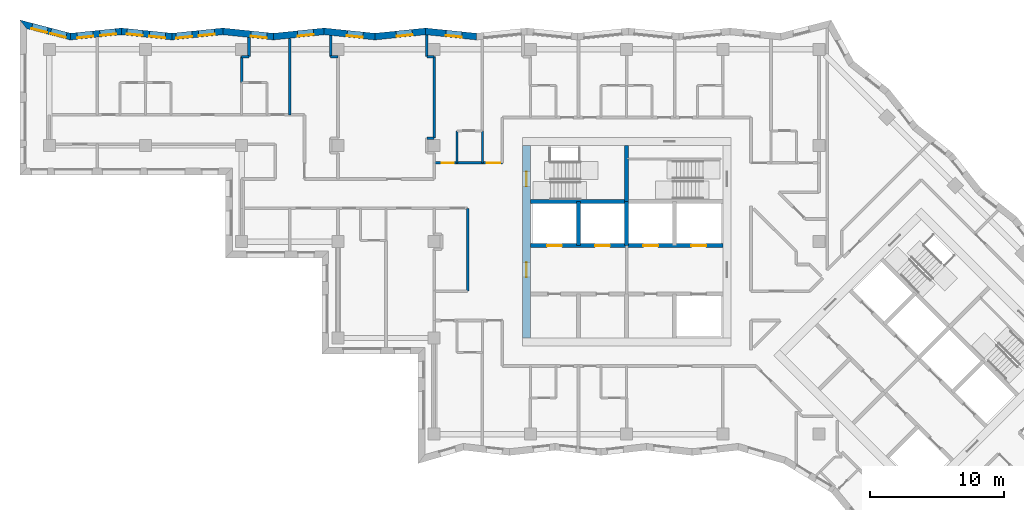
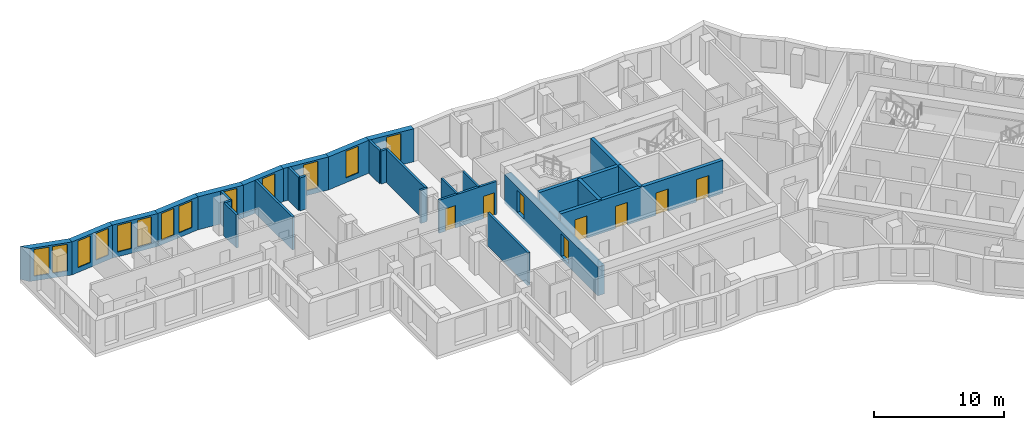
# One storey, part 5 of 12: 29 walls, 13 windows, 8 doors, 21 openings.
"""IFC4 building model written with IfcOpenShell, lengths in metres."""

from ifc_helpers import new_model, si_unit, direction, frame, frame_2d, origin, place, context, subcontext, project, spatial, polyline, rectangle, outline, extrude, material, layer, layer_set, type_object, element, fill, save


model = new_model("IFC4")

# Units and contexts
model_context = context("Model", 3, precision=1e-05, world=origin(), true_north=direction((0.0, 1.0)))
body_context = subcontext(model_context, "Body", "Model", "MODEL_VIEW")
ifc_project = project(units=[si_unit("LENGTHUNIT", "METRE"), si_unit("AREAUNIT", "SQUARE_METRE"), si_unit("VOLUMEUNIT", "CUBIC_METRE"), si_unit("PLANEANGLEUNIT", "RADIAN"), si_unit("MASSUNIT", "GRAM", prefix="KILO")], contexts=[model_context])

# Site, building, storey
site_placement = place(None, origin())
site = spatial("IfcSite", under=ifc_project, at=site_placement, CompositionType="ELEMENT")
building_placement = place(site_placement, origin())
building = spatial("IfcBuilding", under=site, at=building_placement, Name="Windrow Commons", CompositionType="ELEMENT")
storey_placement = place(building_placement, frame((0.0, 0.0, 145.6)))
storey = spatial("IfcBuildingStorey", under=building, at=storey_placement, Name="L39", CompositionType="ELEMENT", Elevation=145.6)

# Wall, opening, window
ifc_material_1 = material(Name="Brick masonry, red clay brick", Category="masonry")
ifc_layer_1 = layer(ifc_material_1, 0.5)
ifc_layer_set_1 = layer_set([ifc_layer_1], Name="Brick facade wall 500")
wall_type_1 = type_object("IfcWallType", Name="Brick facade wall 500", PredefinedType="SOLIDWALL", material=ifc_layer_set_1)
wall_1_placement = place(storey_placement, frame((53.552, 72.9487, 0.0), z_axis=(0.0, 0.0, 1.0), x_axis=(-0.9947306832, 0.1025225234, 0.0)))
wall_1 = element("IfcWall", 1, at=wall_1_placement, inside=storey, type_object=wall_type_1, Name="Brick facade wall L39 26", PredefinedType="SOLIDWALL", context=body_context, shape_type="SweptSolid", body=[
    extrude(outline(polyline([(0.0258, -0.25), (3.8395, -0.25), (3.788, 0.25), (-0.0258, 0.25), (0.0258, -0.25)])), origin(), (0.0, 0.0, 1.0), 3.1),
])
opening_1_placement = place(wall_1_placement, frame((1.0843, 0.0, 0.45)))
opening_1 = element("IfcOpeningElement", 2, at=opening_1_placement, cuts=wall_1, Name="Opening W7E", PredefinedType="OPENING", context=body_context, shape_type="SweptSolid", body=[
    extrude(rectangle(XDim=1.2, YDim=2.5, at=frame_2d((0.6, 1.25))), frame((0.0, 0.26, 0.0), z_axis=(0.0, -1.0, 0.0), x_axis=(1.0, 0.0, 0.0)), (0.0, 0.0, 1.0), 0.52),
])
ifc_material_2 = material(Name="Clear float glass in anodised aluminium frame", Category="aluminium")
window_type = type_object("IfcWindowType", Name="Window W7 notch 1200x2500", PartitioningType="SINGLE_PANEL", PredefinedType="WINDOW", material=ifc_material_2)
window_1_placement = place(opening_1_placement, origin())
window_1 = element("IfcWindow", 3, at=window_1_placement, inside=storey, type_object=window_type, Name="Window L39 26.1", OverallHeight=2.5, OverallWidth=1.2, PartitioningType="SINGLE_PANEL", PredefinedType="WINDOW", context=body_context, shape_type="SweptSolid", body=[
    extrude(rectangle(XDim=1.2, YDim=2.5, at=frame_2d((0.6, 1.25))), frame((0.0, 0.18, 0.0), z_axis=(0.0, -1.0, 0.0), x_axis=(1.0, 0.0, 0.0)), (0.0, 0.0, 1.0), 0.06),
])
fill(opening_1, window_1)

wall_2_placement = place(storey_placement, frame((49.7583, 73.3397, 0.0), z_axis=(0.0, 0.0, 1.0), x_axis=(-0.9947306832, -0.1025225234, 0.0)))
wall_2 = element("IfcWall", 4, at=wall_2_placement, inside=storey, type_object=wall_type_1, Name="Brick facade wall L39 27", PredefinedType="SOLIDWALL", context=body_context, shape_type="SweptSolid", body=[
    extrude(outline(polyline([(-0.0258, -0.25), (3.788, -0.25), (3.8395, 0.25), (0.0258, 0.25), (-0.0258, -0.25)])), origin(), (0.0, 0.0, 1.0), 3.1),
])
opening_2_placement = place(wall_2_placement, frame((0.9999, 0.0, 0.45)))
opening_2 = element("IfcOpeningElement", 5, at=opening_2_placement, cuts=wall_2, Name="Opening W7E", PredefinedType="OPENING", context=body_context, shape_type="SweptSolid", body=[
    extrude(rectangle(XDim=1.2, YDim=2.5, at=frame_2d((0.6, 1.25))), frame((0.0, 0.26, 0.0), z_axis=(0.0, -1.0, 0.0), x_axis=(1.0, 0.0, 0.0)), (0.0, 0.0, 1.0), 0.52),
])
window_2_placement = place(opening_2_placement, origin())
window_2 = element("IfcWindow", 6, at=window_2_placement, inside=storey, type_object=window_type, Name="Window L39 27.1", OverallHeight=2.5, OverallWidth=1.2, PartitioningType="SINGLE_PANEL", PredefinedType="WINDOW", context=body_context, shape_type="SweptSolid", body=[
    extrude(rectangle(XDim=1.2, YDim=2.5, at=frame_2d((0.6, 1.25))), frame((0.0, 0.18, 0.0), z_axis=(0.0, -1.0, 0.0), x_axis=(1.0, 0.0, 0.0)), (0.0, 0.0, 1.0), 0.06),
])
fill(opening_2, window_2)

wall_3_placement = place(storey_placement, frame((45.9646, 72.9487, 0.0), z_axis=(0.0, 0.0, 1.0), x_axis=(-0.9947304076, 0.1025251975, 0.0)))
wall_3 = element("IfcWall", 7, at=wall_3_placement, inside=storey, type_object=wall_type_1, Name="Brick facade wall L39 28", PredefinedType="SOLIDWALL", context=body_context, shape_type="SweptSolid", body=[
    extrude(outline(polyline([(0.0258, -0.25), (3.8395, -0.25), (3.788, 0.25), (-0.0258, 0.25), (0.0258, -0.25)])), origin(), (0.0, 0.0, 1.0), 3.1),
])
opening_3_placement = place(wall_3_placement, frame((0.8896, 0.0, 0.45)))
opening_3 = element("IfcOpeningElement", 8, at=opening_3_placement, cuts=wall_3, Name="Opening W7E", PredefinedType="OPENING", context=body_context, shape_type="SweptSolid", body=[
    extrude(rectangle(XDim=1.2, YDim=2.5, at=frame_2d((0.6, 1.25))), frame((0.0, 0.26, 0.0), z_axis=(0.0, -1.0, 0.0), x_axis=(1.0, 0.0, 0.0)), (0.0, 0.0, 1.0), 0.52),
])
window_3_placement = place(opening_3_placement, origin())
window_3 = element("IfcWindow", 9, at=window_3_placement, inside=storey, type_object=window_type, Name="Window L39 28.1", OverallHeight=2.5, OverallWidth=1.2, PartitioningType="SINGLE_PANEL", PredefinedType="WINDOW", context=body_context, shape_type="SweptSolid", body=[
    extrude(rectangle(XDim=1.2, YDim=2.5, at=frame_2d((0.6, 1.25))), frame((0.0, 0.18, 0.0), z_axis=(0.0, -1.0, 0.0), x_axis=(1.0, 0.0, 0.0)), (0.0, 0.0, 1.0), 0.06),
])
fill(opening_3, window_3)

wall_4_placement = place(storey_placement, frame((42.171, 73.3397, 0.0), z_axis=(0.0, 0.0, 1.0), x_axis=(-0.9947306832, -0.1025225234, 0.0)))
wall_4 = element("IfcWall", 10, at=wall_4_placement, inside=storey, type_object=wall_type_1, Name="Brick facade wall L39 29", PredefinedType="SOLIDWALL", context=body_context, shape_type="SweptSolid", body=[
    extrude(outline(polyline([(-0.0258, -0.25), (3.788, -0.25), (3.8395, 0.25), (0.0258, 0.25), (-0.0258, -0.25)])), origin(), (0.0, 0.0, 1.0), 3.1),
])
opening_4_placement = place(wall_4_placement, frame((0.8052, 0.0, 0.45)))
opening_4 = element("IfcOpeningElement", 11, at=opening_4_placement, cuts=wall_4, Name="Opening W7E", PredefinedType="OPENING", context=body_context, shape_type="SweptSolid", body=[
    extrude(rectangle(XDim=1.2, YDim=2.5, at=frame_2d((0.6, 1.25))), frame((0.0, 0.26, 0.0), z_axis=(0.0, -1.0, 0.0), x_axis=(1.0, 0.0, 0.0)), (0.0, 0.0, 1.0), 0.52),
])
window_4_placement = place(opening_4_placement, origin())
window_4 = element("IfcWindow", 12, at=window_4_placement, inside=storey, type_object=window_type, Name="Window L39 29.1", OverallHeight=2.5, OverallWidth=1.2, PartitioningType="SINGLE_PANEL", PredefinedType="WINDOW", context=body_context, shape_type="SweptSolid", body=[
    extrude(rectangle(XDim=1.2, YDim=2.5, at=frame_2d((0.6, 1.25))), frame((0.0, 0.18, 0.0), z_axis=(0.0, -1.0, 0.0), x_axis=(1.0, 0.0, 0.0)), (0.0, 0.0, 1.0), 0.06),
])
fill(opening_4, window_4)

wall_5_placement = place(storey_placement, frame((38.3773, 72.9487, 0.0), z_axis=(0.0, 0.0, 1.0), x_axis=(-0.9947306832, 0.1025225234, 0.0)))
wall_5 = element("IfcWall", 13, at=wall_5_placement, inside=storey, type_object=wall_type_1, Name="Brick facade wall L39 30", PredefinedType="SOLIDWALL", context=body_context, shape_type="SweptSolid", body=[
    extrude(outline(polyline([(0.0258, -0.25), (3.8395, -0.25), (3.788, 0.25), (-0.0258, 0.25), (0.0258, -0.25)])), origin(), (0.0, 0.0, 1.0), 3.1),
])
opening_5_placement = place(wall_5_placement, frame((0.495, 0.0, 0.45)))
opening_5 = element("IfcOpeningElement", 14, at=opening_5_placement, cuts=wall_5, Name="Opening W7E", PredefinedType="OPENING", context=body_context, shape_type="SweptSolid", body=[
    extrude(rectangle(XDim=1.2, YDim=2.5, at=frame_2d((0.6, 1.25))), frame((0.0, 0.26, 0.0), z_axis=(0.0, -1.0, 0.0), x_axis=(1.0, 0.0, 0.0)), (0.0, 0.0, 1.0), 0.52),
])
window_5_placement = place(opening_5_placement, origin())
window_5 = element("IfcWindow", 15, at=window_5_placement, inside=storey, type_object=window_type, Name="Window L39 30.1", OverallHeight=2.5, OverallWidth=1.2, PartitioningType="SINGLE_PANEL", PredefinedType="WINDOW", context=body_context, shape_type="SweptSolid", body=[
    extrude(rectangle(XDim=1.2, YDim=2.5, at=frame_2d((0.6, 1.25))), frame((0.0, 0.18, 0.0), z_axis=(0.0, -1.0, 0.0), x_axis=(1.0, 0.0, 0.0)), (0.0, 0.0, 1.0), 0.06),
])
fill(opening_5, window_5)

# Wall, openings, windows
wall_6_placement = place(storey_placement, frame((34.5836, 73.3397, 0.0), z_axis=(0.0, 0.0, 1.0), x_axis=(-0.9947304076, -0.1025251975, 0.0)))
wall_6 = element("IfcWall", 16, at=wall_6_placement, inside=storey, type_object=wall_type_1, Name="Brick facade wall L39 31", PredefinedType="SOLIDWALL", context=body_context, shape_type="SweptSolid", body=[
    extrude(outline(polyline([(-0.0258, -0.25), (3.788, -0.25), (3.8395, 0.25), (0.0258, 0.25), (-0.0258, -0.25)])), origin(), (0.0, 0.0, 1.0), 3.1),
])
opening_6_placement = place(wall_6_placement, frame((0.6105, 0.0, 0.45)))
opening_6 = element("IfcOpeningElement", 17, at=opening_6_placement, cuts=wall_6, Name="Opening W7E", PredefinedType="OPENING", context=body_context, shape_type="SweptSolid", body=[
    extrude(rectangle(XDim=1.2, YDim=2.5, at=frame_2d((0.6, 1.25))), frame((0.0, 0.26, 0.0), z_axis=(0.0, -1.0, 0.0), x_axis=(1.0, 0.0, 0.0)), (0.0, 0.0, 1.0), 0.52),
])
opening_7_placement = place(wall_6_placement, frame((2.3045, 0.0, 0.45)))
opening_7 = element("IfcOpeningElement", 18, at=opening_7_placement, cuts=wall_6, Name="Opening W7E", PredefinedType="OPENING", context=body_context, shape_type="SweptSolid", body=[
    extrude(rectangle(XDim=1.2, YDim=2.5, at=frame_2d((0.6, 1.25))), frame((0.0, 0.26, 0.0), z_axis=(0.0, -1.0, 0.0), x_axis=(1.0, 0.0, 0.0)), (0.0, 0.0, 1.0), 0.52),
])
window_6_placement = place(opening_6_placement, origin())
window_6 = element("IfcWindow", 19, at=window_6_placement, inside=storey, type_object=window_type, Name="Window L39 31.1", OverallHeight=2.5, OverallWidth=1.2, PartitioningType="SINGLE_PANEL", PredefinedType="WINDOW", context=body_context, shape_type="SweptSolid", body=[
    extrude(rectangle(XDim=1.2, YDim=2.5, at=frame_2d((0.6, 1.25))), frame((0.0, 0.18, 0.0), z_axis=(0.0, -1.0, 0.0), x_axis=(1.0, 0.0, 0.0)), (0.0, 0.0, 1.0), 0.06),
])
fill(opening_6, window_6)
window_7_placement = place(opening_7_placement, origin())
window_7 = element("IfcWindow", 20, at=window_7_placement, inside=storey, type_object=window_type, Name="Window L39 31.2", OverallHeight=2.5, OverallWidth=1.2, PartitioningType="SINGLE_PANEL", PredefinedType="WINDOW", context=body_context, shape_type="SweptSolid", body=[
    extrude(rectangle(XDim=1.2, YDim=2.5, at=frame_2d((0.6, 1.25))), frame((0.0, 0.18, 0.0), z_axis=(0.0, -1.0, 0.0), x_axis=(1.0, 0.0, 0.0)), (0.0, 0.0, 1.0), 0.06),
])
fill(opening_7, window_7)

wall_7_placement = place(storey_placement, frame((30.79, 72.9487, 0.0), z_axis=(0.0, 0.0, 1.0), x_axis=(-0.9947306832, 0.1025225234, 0.0)))
wall_7 = element("IfcWall", 21, at=wall_7_placement, inside=storey, type_object=wall_type_1, Name="Brick facade wall L39 32", PredefinedType="SOLIDWALL", context=body_context, shape_type="SweptSolid", body=[
    extrude(outline(polyline([(0.0258, -0.25), (3.8395, -0.25), (3.788, 0.25), (-0.0258, 0.25), (0.0258, -0.25)])), origin(), (0.0, 0.0, 1.0), 3.1),
])
opening_8_placement = place(wall_7_placement, frame((0.5003, 0.0, 0.45)))
opening_8 = element("IfcOpeningElement", 22, at=opening_8_placement, cuts=wall_7, Name="Opening W7E", PredefinedType="OPENING", context=body_context, shape_type="SweptSolid", body=[
    extrude(rectangle(XDim=1.2, YDim=2.5, at=frame_2d((0.6, 1.25))), frame((0.0, 0.26, 0.0), z_axis=(0.0, -1.0, 0.0), x_axis=(1.0, 0.0, 0.0)), (0.0, 0.0, 1.0), 0.52),
])
opening_9_placement = place(wall_7_placement, frame((2.1943, 0.0, 0.45)))
opening_9 = element("IfcOpeningElement", 23, at=opening_9_placement, cuts=wall_7, Name="Opening W7E", PredefinedType="OPENING", context=body_context, shape_type="SweptSolid", body=[
    extrude(rectangle(XDim=1.2, YDim=2.5, at=frame_2d((0.6, 1.25))), frame((0.0, 0.26, 0.0), z_axis=(0.0, -1.0, 0.0), x_axis=(1.0, 0.0, 0.0)), (0.0, 0.0, 1.0), 0.52),
])
window_8_placement = place(opening_8_placement, origin())
window_8 = element("IfcWindow", 24, at=window_8_placement, inside=storey, type_object=window_type, Name="Window L39 32.1", OverallHeight=2.5, OverallWidth=1.2, PartitioningType="SINGLE_PANEL", PredefinedType="WINDOW", context=body_context, shape_type="SweptSolid", body=[
    extrude(rectangle(XDim=1.2, YDim=2.5, at=frame_2d((0.6, 1.25))), frame((0.0, 0.18, 0.0), z_axis=(0.0, -1.0, 0.0), x_axis=(1.0, 0.0, 0.0)), (0.0, 0.0, 1.0), 0.06),
])
fill(opening_8, window_8)
window_9_placement = place(opening_9_placement, origin())
window_9 = element("IfcWindow", 25, at=window_9_placement, inside=storey, type_object=window_type, Name="Window L39 32.2", OverallHeight=2.5, OverallWidth=1.2, PartitioningType="SINGLE_PANEL", PredefinedType="WINDOW", context=body_context, shape_type="SweptSolid", body=[
    extrude(rectangle(XDim=1.2, YDim=2.5, at=frame_2d((0.6, 1.25))), frame((0.0, 0.18, 0.0), z_axis=(0.0, -1.0, 0.0), x_axis=(1.0, 0.0, 0.0)), (0.0, 0.0, 1.0), 0.06),
])
fill(opening_9, window_9)

wall_8_placement = place(storey_placement, frame((26.9963, 73.3397, 0.0), z_axis=(0.0, 0.0, 1.0), x_axis=(-0.994730395, -0.10252532, 0.0)))
wall_8 = element("IfcWall", 26, at=wall_8_placement, inside=storey, type_object=wall_type_1, Name="Brick facade wall L39 33", PredefinedType="SOLIDWALL", context=body_context, shape_type="SweptSolid", body=[
    extrude(outline(polyline([(-0.0258, -0.25), (3.788, -0.25), (3.8785, 0.25), (0.0258, 0.25), (-0.0258, -0.25)])), origin(), (0.0, 0.0, 1.0), 3.1),
])
opening_10_placement = place(wall_8_placement, frame((0.4158, 0.0, 0.45)))
opening_10 = element("IfcOpeningElement", 27, at=opening_10_placement, cuts=wall_8, Name="Opening W7E", PredefinedType="OPENING", context=body_context, shape_type="SweptSolid", body=[
    extrude(rectangle(XDim=1.2, YDim=2.5, at=frame_2d((0.6, 1.25))), frame((0.0, 0.26, 0.0), z_axis=(0.0, -1.0, 0.0), x_axis=(1.0, 0.0, 0.0)), (0.0, 0.0, 1.0), 0.52),
])
opening_11_placement = place(wall_8_placement, frame((2.1195, 0.0, 0.45)))
opening_11 = element("IfcOpeningElement", 28, at=opening_11_placement, cuts=wall_8, Name="Opening W7E", PredefinedType="OPENING", context=body_context, shape_type="SweptSolid", body=[
    extrude(rectangle(XDim=1.2, YDim=2.5, at=frame_2d((0.6, 1.25))), frame((0.0, 0.26, 0.0), z_axis=(0.0, -1.0, 0.0), x_axis=(1.0, 0.0, 0.0)), (0.0, 0.0, 1.0), 0.52),
])
window_10_placement = place(opening_10_placement, origin())
window_10 = element("IfcWindow", 29, at=window_10_placement, inside=storey, type_object=window_type, Name="Window L39 33.1", OverallHeight=2.5, OverallWidth=1.2, PartitioningType="SINGLE_PANEL", PredefinedType="WINDOW", context=body_context, shape_type="SweptSolid", body=[
    extrude(rectangle(XDim=1.2, YDim=2.5, at=frame_2d((0.6, 1.25))), frame((0.0, 0.18, 0.0), z_axis=(0.0, -1.0, 0.0), x_axis=(1.0, 0.0, 0.0)), (0.0, 0.0, 1.0), 0.06),
])
fill(opening_10, window_10)
window_11_placement = place(opening_11_placement, origin())
window_11 = element("IfcWindow", 30, at=window_11_placement, inside=storey, type_object=window_type, Name="Window L39 33.2", OverallHeight=2.5, OverallWidth=1.2, PartitioningType="SINGLE_PANEL", PredefinedType="WINDOW", context=body_context, shape_type="SweptSolid", body=[
    extrude(rectangle(XDim=1.2, YDim=2.5, at=frame_2d((0.6, 1.25))), frame((0.0, 0.18, 0.0), z_axis=(0.0, -1.0, 0.0), x_axis=(1.0, 0.0, 0.0)), (0.0, 0.0, 1.0), 0.06),
])
fill(opening_11, window_11)

wall_9_placement = place(storey_placement, frame((23.1833, 72.9467, 0.0), z_axis=(0.0, 0.0, 1.0), x_axis=(-0.9675355908, 0.2527348026, 0.0)))
wall_9 = element("IfcWall", 31, at=wall_9_placement, inside=storey, type_object=wall_type_1, Name="Brick facade wall L39 34", PredefinedType="SOLIDWALL", context=body_context, shape_type="SweptSolid", body=[
    extrude(outline(polyline([(0.0453, -0.25), (3.9662, -0.25), (3.3188, 0.25), (-0.0453, 0.25), (0.0453, -0.25)])), origin(), (0.0, 0.0, 1.0), 3.1),
])
opening_12_placement = place(wall_9_placement, frame((0.3182, 0.0, 0.45)))
opening_12 = element("IfcOpeningElement", 32, at=opening_12_placement, cuts=wall_9, Name="Opening W7E", PredefinedType="OPENING", context=body_context, shape_type="SweptSolid", body=[
    extrude(rectangle(XDim=1.2, YDim=2.5, at=frame_2d((0.6, 1.25))), frame((0.0, 0.26, 0.0), z_axis=(0.0, -1.0, 0.0), x_axis=(1.0, 0.0, 0.0)), (0.0, 0.0, 1.0), 0.52),
])
opening_13_placement = place(wall_9_placement, frame((1.7776, 0.0, 0.45)))
opening_13 = element("IfcOpeningElement", 33, at=opening_13_placement, cuts=wall_9, Name="Opening W7E", PredefinedType="OPENING", context=body_context, shape_type="SweptSolid", body=[
    extrude(rectangle(XDim=1.2, YDim=2.5, at=frame_2d((0.6, 1.25))), frame((0.0, 0.26, 0.0), z_axis=(0.0, -1.0, 0.0), x_axis=(1.0, 0.0, 0.0)), (0.0, 0.0, 1.0), 0.52),
])
window_12_placement = place(opening_12_placement, origin())
window_12 = element("IfcWindow", 34, at=window_12_placement, inside=storey, type_object=window_type, Name="Window L39 34.1", OverallHeight=2.5, OverallWidth=1.2, PartitioningType="SINGLE_PANEL", PredefinedType="WINDOW", context=body_context, shape_type="SweptSolid", body=[
    extrude(rectangle(XDim=1.2, YDim=2.5, at=frame_2d((0.6, 1.25))), frame((0.0, 0.18, 0.0), z_axis=(0.0, -1.0, 0.0), x_axis=(1.0, 0.0, 0.0)), (0.0, 0.0, 1.0), 0.06),
])
fill(opening_12, window_12)
window_13_placement = place(opening_13_placement, origin())
window_13 = element("IfcWindow", 35, at=window_13_placement, inside=storey, type_object=window_type, Name="Window L39 34.2", OverallHeight=2.5, OverallWidth=1.2, PartitioningType="SINGLE_PANEL", PredefinedType="WINDOW", context=body_context, shape_type="SweptSolid", body=[
    extrude(rectangle(XDim=1.2, YDim=2.5, at=frame_2d((0.6, 1.25))), frame((0.0, 0.18, 0.0), z_axis=(0.0, -1.0, 0.0), x_axis=(1.0, 0.0, 0.0)), (0.0, 0.0, 1.0), 0.06),
])
fill(opening_13, window_13)

# Wall
ifc_material_3 = material(Name="Blockwork partition", Category="masonry")
ifc_layer_2 = layer(ifc_material_3, 0.2)
ifc_layer_set_2 = layer_set([ifc_layer_2], Name="IW-CORRIDOR-200")
wall_type_2 = type_object("IfcWallType", Name="IW-CORRIDOR-200", PredefinedType="PARTITIONING", material=ifc_layer_set_2)
wall_10_placement = place(storey_placement, frame((52.9, 53.902, 0.0), z_axis=(0.0, 0.0, 1.0), x_axis=(0.0, 1.0, 0.0)))
element("IfcWall", 36, at=wall_10_placement, inside=storey, type_object=wall_type_2, Name="W-L39-W025", PredefinedType="PARTITIONING", context=body_context, shape_type="SweptSolid", body=[
    extrude(rectangle(XDim=6.198, YDim=0.2, at=frame_2d((3.099, 0.0))), origin(), (0.0, 0.0, 1.0), 3.1),
])

# Wall, openings, doors
wall_11_placement = place(storey_placement, frame((50.4, 63.5, 0.0), z_axis=(0.0, 0.0, 1.0), x_axis=(1.0, 0.0, 0.0)))
wall_11 = element("IfcWall", 37, at=wall_11_placement, inside=storey, type_object=wall_type_2, Name="W-L39-W037", PredefinedType="PARTITIONING", context=body_context, shape_type="SweptSolid", body=[
    extrude(rectangle(XDim=5.1, YDim=0.2, at=frame_2d((2.55, 0.0))), origin(), (0.0, 0.0, 1.0), 3.1),
])
opening_14_placement = place(wall_11_placement, frame((0.5517, 0.0, 0.0)))
opening_14 = element("IfcOpeningElement", 38, at=opening_14_placement, cuts=wall_11, Name="Opening D109S", PredefinedType="OPENING", context=body_context, shape_type="SweptSolid", body=[
    extrude(rectangle(XDim=0.9, YDim=2.1, at=frame_2d((0.45, 1.05))), frame((0.0, 0.11, 0.0), z_axis=(0.0, -1.0, 0.0), x_axis=(1.0, 0.0, 0.0)), (0.0, 0.0, 1.0), 0.22),
])
opening_15_placement = place(wall_11_placement, frame((3.9413, 0.0, 0.0)))
opening_15 = element("IfcOpeningElement", 39, at=opening_15_placement, cuts=wall_11, Name="Opening D310F", PredefinedType="OPENING", context=body_context, shape_type="SweptSolid", body=[
    extrude(rectangle(XDim=1.0, YDim=2.1, at=frame_2d((0.5, 1.05))), frame((0.0, 0.11, 0.0), z_axis=(0.0, -1.0, 0.0), x_axis=(1.0, 0.0, 0.0)), (0.0, 0.0, 1.0), 0.22),
])
ifc_material_4 = material(Name="Timber door leaf", Category="wood")
door_type_1 = type_object("IfcDoorType", Name="DT-AMENITY-1000", OperationType="SINGLE_SWING_LEFT", PredefinedType="DOOR", material=ifc_material_4)
door_1_placement = place(opening_15_placement, origin())
door_1 = element("IfcDoor", 40, at=door_1_placement, inside=storey, type_object=door_type_1, Name="D-L39-D025", OperationType="SINGLE_SWING_LEFT", OverallHeight=2.1, OverallWidth=1.0, PredefinedType="DOOR", context=body_context, shape_type="SweptSolid", body=[
    extrude(rectangle(XDim=1.0, YDim=2.1, at=frame_2d((0.5, 1.05))), frame((0.0, 0.025, 0.0), z_axis=(0.0, -1.0, 0.0), x_axis=(1.0, 0.0, 0.0)), (0.0, 0.0, 1.0), 0.05),
])
fill(opening_15, door_1)
ifc_material_5 = material(Name="Timber door leaf", Category="wood")
door_type_2 = type_object("IfcDoorType", Name="DT-BEDROOM-900", OperationType="SINGLE_SWING_LEFT", PredefinedType="DOOR", material=ifc_material_5)
door_2_placement = place(opening_14_placement, origin())
door_2 = element("IfcDoor", 41, at=door_2_placement, inside=storey, type_object=door_type_2, Name="D-L39-D023", OperationType="SINGLE_SWING_RIGHT", OverallHeight=2.1, OverallWidth=0.9, PredefinedType="DOOR", context=body_context, shape_type="SweptSolid", body=[
    extrude(rectangle(XDim=0.9, YDim=2.1, at=frame_2d((0.45, 1.05))), frame((0.0, 0.025, 0.0), z_axis=(0.0, -1.0, 0.0), x_axis=(1.0, 0.0, 0.0)), (0.0, 0.0, 1.0), 0.05),
])
fill(opening_14, door_2)

# Walls
ifc_material_6 = material(Name="Blockwork partition", Category="masonry")
ifc_layer_3 = layer(ifc_material_6, 0.15)
ifc_layer_set_3 = layer_set([ifc_layer_3], Name="IW-ENSUITE-150")
wall_type_3 = type_object("IfcWallType", Name="IW-ENSUITE-150", PredefinedType="PARTITIONING", material=ifc_layer_set_3)
for number, where, z_axis, x_axis, name in (
    (42, (52.1, 63.5, 0.0), (0.0, 0.0, 1.0), (0.0, 1.0, 0.0), "W-L39-W076"),
    (43, (54.0, 63.5, 0.0), (0.0, 0.0, 1.0), (0.0, 1.0, 0.0), "W-L39-W078"),
):
    element("IfcWall", number, at=place(storey_placement, frame(where, z_axis=z_axis, x_axis=x_axis)), inside=storey, type_object=wall_type_3, Name=name, PredefinedType="PARTITIONING", context=body_context, shape_type="SweptSolid", body=[
        extrude(rectangle(XDim=2.4, YDim=0.15, at=frame_2d((1.2, 0.0))), origin(), (0.0, 0.0, 1.0), 3.1),
    ])
ifc_material_7 = material(Name="Blockwork partition", Category="masonry")
ifc_layer_4 = layer(ifc_material_7, 0.2)
ifc_layer_set_4 = layer_set([ifc_layer_4], Name="IW-PARTY-200")
wall_type_4 = type_object("IfcWallType", Name="IW-PARTY-200", PredefinedType="PARTITIONING", material=ifc_layer_set_4)
wall_12_placement = place(storey_placement, frame((50.4, 65.354, 0.0), z_axis=(0.0, 0.0, 1.0), x_axis=(0.0, 1.0, 0.0)))
element("IfcWall", 44, at=wall_12_placement, inside=storey, type_object=wall_type_4, Name="W-L39-W027", PredefinedType="PARTITIONING", context=body_context, shape_type="SweptSolid", body=[
    extrude(rectangle(XDim=6.092, YDim=0.2, at=frame_2d((3.046, 0.0))), origin(), (0.0, 0.0, 1.0), 3.1),
])
wall_13_placement = place(storey_placement, frame((39.6, 67.1, 0.0), z_axis=(0.0, 0.0, 1.0), x_axis=(0.0, 1.0, 0.0)))
element("IfcWall", 45, at=wall_13_placement, inside=storey, type_object=wall_type_4, Name="W-L39-W035", PredefinedType="PARTITIONING", context=body_context, shape_type="SweptSolid", body=[
    extrude(rectangle(XDim=5.7234, YDim=0.2, at=frame_2d((2.8617, 0.0))), origin(), (0.0, 0.0, 1.0), 3.1),
])
wall_14_placement = place(storey_placement, frame((36.0, 69.5, 0.0), z_axis=(0.0, 0.0, 1.0), x_axis=(0.0, 1.0, 0.0)))
element("IfcWall", 46, at=wall_14_placement, inside=storey, type_object=wall_type_4, Name="W-L39-W119", PredefinedType="PARTITIONING", context=body_context, shape_type="SweptSolid", body=[
    extrude(rectangle(XDim=1.946, YDim=0.2, at=frame_2d((0.973, 0.0))), origin(), (0.0, 0.0, 1.0), 3.1),
])
wall_15_placement = place(storey_placement, frame((49.85, 71.446, 0.0), z_axis=(0.0, 0.0, 1.0), x_axis=(0.0, 1.0, 0.0)))
element("IfcWall", 47, at=wall_15_placement, inside=storey, type_object=wall_type_4, Name="W-L39-W141", PredefinedType="PARTITIONING", context=body_context, shape_type="SweptSolid", body=[
    extrude(rectangle(XDim=1.6329, YDim=0.2, at=frame_2d((0.8165, 0.0))), origin(), (0.0, 0.0, 1.0), 3.1),
])
wall_16_placement = place(storey_placement, frame((42.65, 71.446, 0.0), z_axis=(0.0, 0.0, 1.0), x_axis=(0.0, 1.0, 0.0)))
element("IfcWall", 48, at=wall_16_placement, inside=storey, type_object=wall_type_4, Name="W-L39-W145", PredefinedType="PARTITIONING", context=body_context, shape_type="SweptSolid", body=[
    extrude(rectangle(XDim=1.593, YDim=0.2, at=frame_2d((0.7965, 0.0))), origin(), (0.0, 0.0, 1.0), 3.1),
])
wall_17_placement = place(storey_placement, frame((36.55, 71.446, 0.0), z_axis=(0.0, 0.0, 1.0), x_axis=(0.0, 1.0, 0.0)))
element("IfcWall", 49, at=wall_17_placement, inside=storey, type_object=wall_type_4, Name="W-L39-W147", PredefinedType="PARTITIONING", context=body_context, shape_type="SweptSolid", body=[
    extrude(rectangle(XDim=1.4397, YDim=0.2, at=frame_2d((0.7198, 0.0))), origin(), (0.0, 0.0, 1.0), 3.1),
])
for number, where, z_axis, x_axis, name in (
    (50, (42.65, 71.45, 0.0), (0.0, 0.0, 1.0), (1.0, 0.0, 0.0), "W-L39-W161"),
    (51, (36.0, 71.45, 0.0), (0.0, 0.0, 1.0), (1.0, 0.0, 0.0), "W-L39-W167"),
    (52, (49.85, 71.45, 0.0), (0.0, 0.0, 1.0), (1.0, 0.0, 0.0), "W-L39-W168"),
    (53, (49.85, 65.35, 0.0), (0.0, 0.0, 1.0), (1.0, 0.0, 0.0), "W-L39-W169"),
):
    element("IfcWall", number, at=place(storey_placement, frame(where, z_axis=z_axis, x_axis=x_axis)), inside=storey, type_object=wall_type_4, Name=name, PredefinedType="PARTITIONING", context=body_context, shape_type="SweptSolid", body=[
        extrude(rectangle(XDim=0.55, YDim=0.2, at=frame_2d((0.275, 0.0))), origin(), (0.0, 0.0, 1.0), 3.1),
    ])

# Wall, openings, doors
ifc_material_8 = material(Name="Concrete C50/60", Category="concrete")
ifc_layer_5 = layer(ifc_material_8, 0.6)
ifc_layer_set_5 = layer_set([ifc_layer_5], Name="RC CORE WALL 600 C50/60")
wall_type_5 = type_object("IfcWallType", Name="RC CORE WALL 600 C50/60", PredefinedType="SHEAR", material=ifc_layer_set_5)
wall_18_placement = place(storey_placement, frame((57.3, 50.4, -0.3), z_axis=(0.0, 0.0, 1.0), x_axis=(0.0, 1.0, 0.0)))
wall_18 = element("IfcWall", 54, at=wall_18_placement, inside=storey, type_object=wall_type_5, Name="Core A wall outer-W", PredefinedType="SHEAR", context=body_context, shape_type="SweptSolid", body=[
    extrude(rectangle(XDim=14.4, YDim=0.6, at=frame_2d((7.2, 0.0))), origin(), (0.0, 0.0, 1.0), 2.7),
])
opening_16_placement = place(wall_18_placement, frame((4.55, 0.0, 0.3)))
opening_16 = element("IfcOpeningElement", 55, at=opening_16_placement, cuts=wall_18, Name="Opening D6", PredefinedType="OPENING", context=body_context, shape_type="SweptSolid", body=[
    extrude(rectangle(XDim=1.1, YDim=2.1, at=frame_2d((0.55, 1.05))), frame((0.0, 0.31, 0.0), z_axis=(0.0, -1.0, 0.0), x_axis=(1.0, 0.0, 0.0)), (0.0, 0.0, 1.0), 0.62),
])
opening_17_placement = place(wall_18_placement, frame((11.35, 0.0, 0.3)))
opening_17 = element("IfcOpeningElement", 56, at=opening_17_placement, cuts=wall_18, Name="Opening D7", PredefinedType="OPENING", context=body_context, shape_type="SweptSolid", body=[
    extrude(rectangle(XDim=1.1, YDim=2.1, at=frame_2d((0.55, 1.05))), frame((0.0, 0.31, 0.0), z_axis=(0.0, -1.0, 0.0), x_axis=(1.0, 0.0, 0.0)), (0.0, 0.0, 1.0), 0.62),
])
ifc_material_9 = material(Name="Steel fire door leaf", Category="steel")
door_type_3 = type_object("IfcDoorType", Name="Core lobby door 1100", OperationType="SINGLE_SWING_LEFT", PredefinedType="DOOR", material=ifc_material_9)
door_3_placement = place(opening_16_placement, origin())
door_3 = element("IfcDoor", 57, at=door_3_placement, inside=storey, type_object=door_type_3, Name="Lift lobby door", OperationType="DOUBLE_DOOR_SINGLE_SWING", OverallHeight=2.1, OverallWidth=1.1, PredefinedType="DOOR", context=body_context, shape_type="SweptSolid", body=[
    extrude(rectangle(XDim=1.1, YDim=2.1, at=frame_2d((0.55, 1.05))), frame((0.0, 0.025, 0.0), z_axis=(0.0, -1.0, 0.0), x_axis=(1.0, 0.0, 0.0)), (0.0, 0.0, 1.0), 0.05),
])
fill(opening_16, door_3)
ifc_material_10 = material(Name="Steel fire door leaf", Category="steel")
door_type_4 = type_object("IfcDoorType", Name="Stair door 1100", OperationType="SINGLE_SWING_LEFT", PredefinedType="DOOR", material=ifc_material_10)
door_4_placement = place(opening_17_placement, origin())
door_4 = element("IfcDoor", 58, at=door_4_placement, inside=storey, type_object=door_type_4, Name="Stair door", OperationType="SINGLE_SWING_LEFT", OverallHeight=2.1, OverallWidth=1.1, PredefinedType="DOOR", context=body_context, shape_type="SweptSolid", body=[
    extrude(rectangle(XDim=1.1, YDim=2.1, at=frame_2d((0.55, 1.05))), frame((0.0, 0.025, 0.0), z_axis=(0.0, -1.0, 0.0), x_axis=(1.0, 0.0, 0.0)), (0.0, 0.0, 1.0), 0.05),
])
fill(opening_17, door_4)

# Walls
ifc_material_11 = material(Name="Concrete C50/60", Category="concrete")
ifc_layer_6 = layer(ifc_material_11, 0.3)
ifc_layer_set_6 = layer_set([ifc_layer_6], Name="RC SHAFT WALL 300 C50/60")
wall_type_6 = type_object("IfcWallType", Name="RC SHAFT WALL 300 C50/60", PredefinedType="SOLIDWALL", material=ifc_layer_set_6)
for number, where, z_axis, x_axis, name in (
    (59, (61.2, 57.3, 0.0), (0.0, 0.0, 1.0), (0.0, 1.0, 0.0), "Core A wall shaft-N1"),
    (60, (64.8, 57.3, 0.0), (0.0, 0.0, 1.0), (0.0, 1.0, 0.0), "Core A wall shaft-N2"),
):
    element("IfcWall", number, at=place(storey_placement, frame(where, z_axis=z_axis, x_axis=x_axis)), inside=storey, type_object=wall_type_6, Name=name, PredefinedType="SOLIDWALL", context=body_context, shape_type="SweptSolid", body=[
        extrude(rectangle(XDim=3.3, YDim=0.3, at=frame_2d((1.65, 0.0))), origin(), (0.0, 0.0, 1.0), 3.1),
    ])

# Wall, openings, doors
wall_19_placement = place(storey_placement, frame((57.6, 57.3, 0.0), z_axis=(0.0, 0.0, 1.0), x_axis=(1.0, 0.0, 0.0)))
wall_19 = element("IfcWall", 61, at=wall_19_placement, inside=storey, type_object=wall_type_6, Name="Core A wall lobby-N", PredefinedType="SOLIDWALL", context=body_context, shape_type="SweptSolid", body=[
    extrude(rectangle(XDim=14.4, YDim=0.3, at=frame_2d((7.2, 0.0))), origin(), (0.0, 0.0, 1.0), 3.1),
])
opening_18_placement = place(wall_19_placement, frame((1.25, 0.0, 0.0)))
opening_18 = element("IfcOpeningElement", 62, at=opening_18_placement, cuts=wall_19, Name="Opening LD", PredefinedType="OPENING", context=body_context, shape_type="SweptSolid", body=[
    extrude(rectangle(XDim=1.1, YDim=2.1, at=frame_2d((0.55, 1.05))), frame((0.0, 0.16, 0.0), z_axis=(0.0, -1.0, 0.0), x_axis=(1.0, 0.0, 0.0)), (0.0, 0.0, 1.0), 0.32),
])
opening_19_placement = place(wall_19_placement, frame((4.85, 0.0, 0.0)))
opening_19 = element("IfcOpeningElement", 63, at=opening_19_placement, cuts=wall_19, Name="Opening LD", PredefinedType="OPENING", context=body_context, shape_type="SweptSolid", body=[
    extrude(rectangle(XDim=1.1, YDim=2.1, at=frame_2d((0.55, 1.05))), frame((0.0, 0.16, 0.0), z_axis=(0.0, -1.0, 0.0), x_axis=(1.0, 0.0, 0.0)), (0.0, 0.0, 1.0), 0.32),
])
opening_20_placement = place(wall_19_placement, frame((8.45, 0.0, 0.0)))
opening_20 = element("IfcOpeningElement", 64, at=opening_20_placement, cuts=wall_19, Name="Opening LD", PredefinedType="OPENING", context=body_context, shape_type="SweptSolid", body=[
    extrude(rectangle(XDim=1.1, YDim=2.1, at=frame_2d((0.55, 1.05))), frame((0.0, 0.16, 0.0), z_axis=(0.0, -1.0, 0.0), x_axis=(1.0, 0.0, 0.0)), (0.0, 0.0, 1.0), 0.32),
])
opening_21_placement = place(wall_19_placement, frame((12.05, 0.0, 0.0)))
opening_21 = element("IfcOpeningElement", 65, at=opening_21_placement, cuts=wall_19, Name="Opening LD", PredefinedType="OPENING", context=body_context, shape_type="SweptSolid", body=[
    extrude(rectangle(XDim=1.1, YDim=2.1, at=frame_2d((0.55, 1.05))), frame((0.0, 0.16, 0.0), z_axis=(0.0, -1.0, 0.0), x_axis=(1.0, 0.0, 0.0)), (0.0, 0.0, 1.0), 0.32),
])
ifc_material_12 = material(Name="Stainless steel door leaf", Category="steel")
door_type_5 = type_object("IfcDoorType", Name="Lift landing door 1100", OperationType="SLIDING_TO_LEFT", PredefinedType="DOOR", material=ifc_material_12)
door_5_placement = place(opening_18_placement, origin())
door_5 = element("IfcDoor", 66, at=door_5_placement, inside=storey, type_object=door_type_5, Name="Lift landing door", OperationType="SLIDING_TO_LEFT", OverallHeight=2.1, OverallWidth=1.1, PredefinedType="DOOR", context=body_context, shape_type="SweptSolid", body=[
    extrude(rectangle(XDim=1.1, YDim=2.1, at=frame_2d((0.55, 1.05))), frame((0.0, 0.025, 0.0), z_axis=(0.0, -1.0, 0.0), x_axis=(1.0, 0.0, 0.0)), (0.0, 0.0, 1.0), 0.05),
])
fill(opening_18, door_5)
door_6_placement = place(opening_19_placement, origin())
door_6 = element("IfcDoor", 67, at=door_6_placement, inside=storey, type_object=door_type_5, Name="Lift landing door", OperationType="SLIDING_TO_RIGHT", OverallHeight=2.1, OverallWidth=1.1, PredefinedType="DOOR", context=body_context, shape_type="SweptSolid", body=[
    extrude(rectangle(XDim=1.1, YDim=2.1, at=frame_2d((0.55, 1.05))), frame((0.0, 0.025, 0.0), z_axis=(0.0, -1.0, 0.0), x_axis=(1.0, 0.0, 0.0)), (0.0, 0.0, 1.0), 0.05),
])
fill(opening_19, door_6)
door_7_placement = place(opening_20_placement, origin())
door_7 = element("IfcDoor", 68, at=door_7_placement, inside=storey, type_object=door_type_5, Name="Lift landing door", OperationType="SLIDING_TO_LEFT", OverallHeight=2.1, OverallWidth=1.1, PredefinedType="DOOR", context=body_context, shape_type="SweptSolid", body=[
    extrude(rectangle(XDim=1.1, YDim=2.1, at=frame_2d((0.55, 1.05))), frame((0.0, 0.025, 0.0), z_axis=(0.0, -1.0, 0.0), x_axis=(1.0, 0.0, 0.0)), (0.0, 0.0, 1.0), 0.05),
])
fill(opening_20, door_7)
door_8_placement = place(opening_21_placement, origin())
door_8 = element("IfcDoor", 69, at=door_8_placement, inside=storey, type_object=door_type_5, Name="Lift landing door", OperationType="SLIDING_TO_RIGHT", OverallHeight=2.1, OverallWidth=1.1, PredefinedType="DOOR", context=body_context, shape_type="SweptSolid", body=[
    extrude(rectangle(XDim=1.1, YDim=2.1, at=frame_2d((0.55, 1.05))), frame((0.0, 0.025, 0.0), z_axis=(0.0, -1.0, 0.0), x_axis=(1.0, 0.0, 0.0)), (0.0, 0.0, 1.0), 0.05),
])
fill(opening_21, door_8)

# Walls
wall_20_placement = place(storey_placement, frame((57.6, 60.6, 0.0), z_axis=(0.0, 0.0, 1.0), x_axis=(1.0, 0.0, 0.0)))
element("IfcWall", 70, at=wall_20_placement, inside=storey, type_object=wall_type_6, Name="Core A wall stair-S", PredefinedType="SOLIDWALL", context=body_context, shape_type="SweptSolid", body=[
    extrude(rectangle(XDim=7.2, YDim=0.3, at=frame_2d((3.6, 0.0))), origin(), (0.0, 0.0, 1.0), 3.1),
])
wall_21_placement = place(storey_placement, frame((64.8, 60.6, 0.0), z_axis=(0.0, 0.0, 1.0), x_axis=(0.0, 1.0, 0.0)))
element("IfcWall", 71, at=wall_21_placement, inside=storey, type_object=wall_type_6, Name="Core A wall stair-mid", PredefinedType="SOLIDWALL", context=body_context, shape_type="SweptSolid", body=[
    extrude(rectangle(XDim=4.2, YDim=0.3, at=frame_2d((2.1, 0.0))), origin(), (0.0, 0.0, 1.0), 3.1),
])

save(model, "model.ifc")
